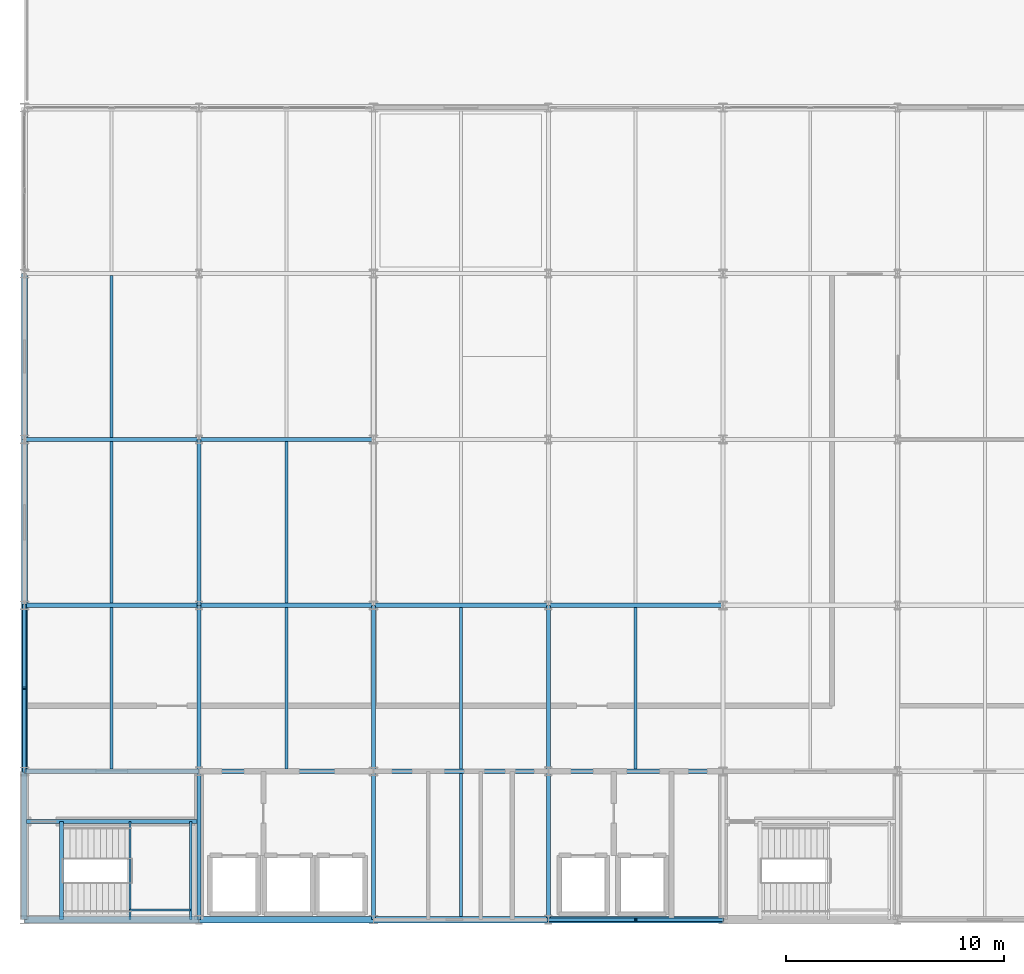
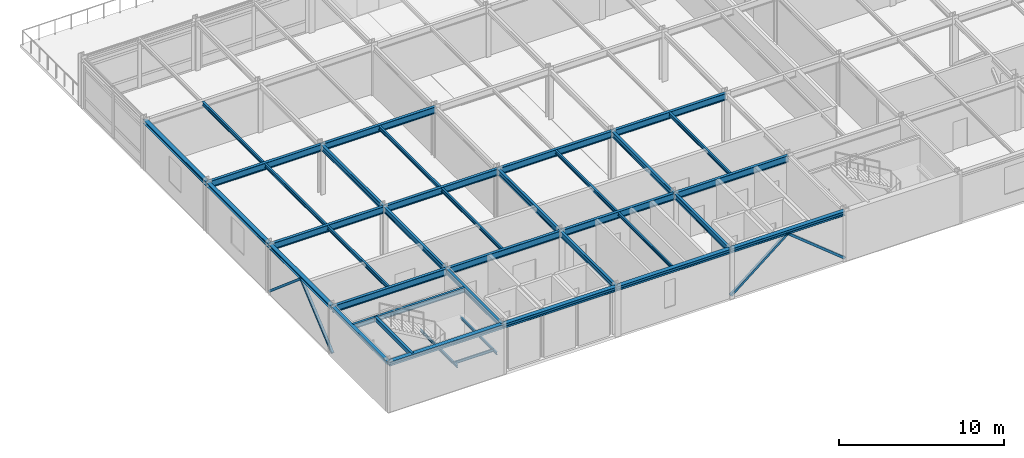
# One storey, part 4 of 17: 38 beams, 4 members.
"""IFC4 building model written with IfcOpenShell, lengths in metres."""

import ifcopenshell
import ifcopenshell.guid

model = None  # the IFC model being written
_history = None  # IfcOwnerHistory: only IFC2X3 demands one
_inside = {}  # id of a spatial element -> (the spatial element, [elements in it])
_under = {}  # id of a project, library or spatial element -> (it, [spatial elements below it])
_declared = {}  # id of a project -> (the project, [libraries it declares])
_typed = {}  # id of a type object -> (the type object, [elements of that type])
_made_of = {}  # id of a material, layer set ... -> (it, [elements and type objects made of it])


def new_model(schema):
    """Start an empty IFC model of exactly this schema.

    Asked for "IFC4X3", IfcOpenShell would pick the latest addendum, in which some entities
    have other attributes; the version numbers below select the first issue.
    IFC2X3 requires an IfcOwnerHistory on every rooted entity: one is made here for all.
    """
    global model, _history
    if schema == "IFC4X3":
        model = ifcopenshell.file(schema_version=(4, 3, 0, 0))
    else:
        model = ifcopenshell.file(schema=schema)
    _inside.clear()
    _under.clear()
    _declared.clear()
    _typed.clear()
    _made_of.clear()
    _history = None
    if model.schema == "IFC2X3":
        org = make("IfcOrganization", Name="unknown")
        user = make(
            "IfcPersonAndOrganization",
            ThePerson=make("IfcPerson", FamilyName="unknown"),
            TheOrganization=org,
        )
        app = make(
            "IfcApplication",
            ApplicationDeveloper=org,
            Version="unknown",
            ApplicationFullName="unknown",
            ApplicationIdentifier="unknown",
        )
        _history = make(
            "IfcOwnerHistory",
            OwningUser=user,
            OwningApplication=app,
            ChangeAction="ADDED",
            CreationDate=0,
        )
    return model


def make(cls, **values):
    """One entity of the class cls with the attributes given. An attribute that is None is left unset."""
    return model.create_entity(
        cls, **{name: value for name, value in values.items() if value is not None}
    )


def rooted(cls, **values):
    """An entity with a GlobalId (a new one), such as an element, a storey or a relation."""
    return make(cls, GlobalId=ifcopenshell.guid.new(), OwnerHistory=_history, **values)


def si_unit(unit_type, name, prefix=None):
    """IfcSIUnit, for example si_unit("LENGTHUNIT", "METRE", prefix="MILLI")."""
    return make("IfcSIUnit", UnitType=unit_type, Prefix=prefix, Name=name)


def assignment(units):
    """IfcUnitAssignment: the units of a project."""
    return None if units is None else make("IfcUnitAssignment", Units=units)


def point(xyz):
    """IfcCartesianPoint."""
    return None if xyz is None else make("IfcCartesianPoint", Coordinates=xyz)


def direction(xyz):
    """IfcDirection."""
    return None if xyz is None else make("IfcDirection", DirectionRatios=xyz)


def frame(location, z_axis=None, x_axis=None):
    """IfcAxis2Placement3D, a coordinate frame: its origin and axes. An axis left out is left unset."""
    return make(
        "IfcAxis2Placement3D",
        Location=point(location),
        Axis=direction(z_axis),
        RefDirection=direction(x_axis),
    )


def frame_2d(location, x_axis=None):
    """IfcAxis2Placement2D, a coordinate frame in the plane: its origin and x axis."""
    return make(
        "IfcAxis2Placement2D", Location=point(location), RefDirection=direction(x_axis)
    )


def origin():
    """The frame at (0, 0, 0) with its axes left unset."""
    return frame((0.0, 0.0, 0.0))


def origin_2d():
    """The frame at (0, 0) in the plane with its x axis left unset."""
    return frame_2d((0.0, 0.0))


def place(relative_to, where):
    """IfcLocalPlacement: puts the frame where relative to a parent placement (None: the world)."""
    return make(
        "IfcLocalPlacement", PlacementRelTo=relative_to, RelativePlacement=where
    )


def context(
    kind, dimensions, precision=None, world=None, true_north=None, identifier=None
):
    """IfcGeometricRepresentationContext, for example the 3D "Model" context."""
    return make(
        "IfcGeometricRepresentationContext",
        ContextIdentifier=identifier,
        ContextType=kind,
        CoordinateSpaceDimension=dimensions,
        Precision=precision,
        WorldCoordinateSystem=world,
        TrueNorth=true_north,
    )


def subcontext(parent, identifier, kind, view, scale=None):
    """IfcGeometricRepresentationSubContext, for example "Body" below "Model"."""
    return make(
        "IfcGeometricRepresentationSubContext",
        ContextIdentifier=identifier,
        ContextType=kind,
        ParentContext=parent,
        TargetScale=scale,
        TargetView=view,
    )


def project(units=None, contexts=None):
    """IfcProject with its units and contexts."""
    return rooted(
        "IfcProject",
        Name="project",
        RepresentationContexts=contexts,
        UnitsInContext=assignment(units),
    )


def spatial(cls, under=None, at=None, **own):
    """A site, building, storey or space (cls), placed at a placement, below another one or the project."""
    s = rooted(cls, ObjectPlacement=at, **own)
    if under is not None:
        _under.setdefault(under.id(), (under, []))[1].append(s)
    return s


def profile(cls, at=None, kind="AREA", **sizes):
    """A parametric profile (cls). Its sizes go by their IFC names, for example OverallWidth=200.0."""
    return make(cls, ProfileType=kind, Position=at, **sizes)


def hollow_rectangle(**sizes):
    """IfcRectangleHollowProfileDef."""
    return profile("IfcRectangleHollowProfileDef", **sizes)


def i_section(**sizes):
    """IfcIShapeProfileDef."""
    return profile("IfcIShapeProfileDef", **sizes)


def extrude(swept, where, along, depth):
    """IfcExtrudedAreaSolid: the profile swept, set in the frame where, extruded along a direction by depth."""
    return make(
        "IfcExtrudedAreaSolid",
        SweptArea=swept,
        Position=where,
        ExtrudedDirection=direction(along),
        Depth=depth,
    )


def shape(context_of_items, identifier, shape_type, items):
    """IfcShapeRepresentation: the items that make up one representation, for example the "Body"."""
    return make(
        "IfcShapeRepresentation",
        ContextOfItems=context_of_items,
        RepresentationIdentifier=identifier,
        RepresentationType=shape_type,
        Items=items,
    )


def material(Name=None, Category=None):
    """IfcMaterial."""
    return make("IfcMaterial", Name=Name, Category=Category)


def material_profile(
    of_material, cross_section, Name=None, Category=None, Priority=None
):
    """IfcMaterialProfile: a cross section and its material."""
    return make(
        "IfcMaterialProfile",
        Name=Name,
        Material=of_material,
        Profile=cross_section,
        Priority=Priority,
        Category=Category,
    )


def profile_set(profiles, Name=None, composite=None):
    """IfcMaterialProfileSet."""
    return make(
        "IfcMaterialProfileSet",
        Name=Name,
        MaterialProfiles=profiles,
        CompositeProfile=composite,
    )


def made_of(thing, what):
    """Note that an element or type object is made of a material, layer set ...; save() writes the relation."""
    if what is not None:
        _made_of.setdefault(what.id(), (what, []))[1].append(thing)
    return thing


def type_object(cls, material=None, **own):
    """A type object (cls), such as IfcWallType, which elements share."""
    return made_of(rooted(cls, **own), material)


def element(
    cls,
    number,
    at=None,
    inside=None,
    cuts=None,
    type_object=None,
    material=None,
    context=None,
    identifier="Body",
    shape_type=None,
    held_by="IfcProductDefinitionShape",
    body=None,
    shapes=None,
    **own,
):
    """One element of the class cls, such as IfcWall. Its Tag is "e" and its number.

    at: its placement. inside: the storey or other place that contains it. cuts: it is an
    opening in that element (IfcRelVoidsElement). A single representation is given by context,
    identifier, shape_type and body (its items); several are given by shapes. held_by: the class
    of the entity that holds the representations. save() writes the other relations.
    """
    e = rooted(cls, Tag="e%d" % number, ObjectPlacement=at, **own)
    if body is not None:
        shapes = [shape(context, identifier, shape_type, body)]
    if shapes is not None:
        e.Representation = make(held_by, Representations=shapes)
    if inside is not None:
        _inside.setdefault(inside.id(), (inside, []))[1].append(e)
    if cuts is not None:
        rooted(
            "IfcRelVoidsElement", RelatingBuildingElement=cuts, RelatedOpeningElement=e
        )
    if type_object is not None:
        _typed.setdefault(type_object.id(), (type_object, []))[1].append(e)
    return made_of(e, material)


def aggregate(whole, parts):
    """IfcRelAggregates: a whole, such as a stair, and the parts it consists of."""
    return rooted("IfcRelAggregates", RelatingObject=whole, RelatedObjects=parts)


def save(model, path):
    """Write the relations noted so far, then the file.

    IfcRelAggregates (storeys below a building ...), IfcRelContainedInSpatialStructure (elements
    in a storey), IfcRelDefinesByType, IfcRelAssociatesMaterial and IfcRelDeclares: one each for
    every whole, place, type object, material and project.
    """
    for whole, parts in _under.values():
        aggregate(whole, parts)
    for where, things in _inside.values():
        rooted(
            "IfcRelContainedInSpatialStructure",
            RelatedElements=things,
            RelatingStructure=where,
        )
    for kind, things in _typed.values():
        rooted("IfcRelDefinesByType", RelatedObjects=things, RelatingType=kind)
    for what, things in _made_of.values():
        rooted("IfcRelAssociatesMaterial", RelatedObjects=things, RelatingMaterial=what)
    for by, libraries in _declared.values():
        rooted("IfcRelDeclares", RelatingContext=by, RelatedDefinitions=libraries)
    model.write(path)


model = new_model("IFC4")

# Units and contexts
model_context = context("Model", 3, precision=1e-05, world=origin(), true_north=direction((0.0, 1.0)))
body_context = subcontext(model_context, "Body", "Model", "MODEL_VIEW")
ifc_project = project(units=[si_unit("LENGTHUNIT", "METRE"), si_unit("AREAUNIT", "SQUARE_METRE"), si_unit("VOLUMEUNIT", "CUBIC_METRE"), si_unit("PLANEANGLEUNIT", "RADIAN"), si_unit("MASSUNIT", "GRAM", prefix="KILO")], contexts=[model_context])

# Site, building, storey
site_placement = place(None, origin())
site = spatial("IfcSite", under=ifc_project, at=site_placement, CompositionType="ELEMENT")
building_placement = place(site_placement, origin())
building = spatial("IfcBuilding", under=site, at=building_placement, Name="Shalkamar Park Central Library", CompositionType="ELEMENT")
storey_placement = place(building_placement, frame((0.0, 0.0, 36.0)))
storey = spatial("IfcBuildingStorey", under=building, at=storey_placement, Name="L09", CompositionType="ELEMENT", Elevation=36.0)

# Beams
ifc_material = material(Name="Steel S355", Category="steel")
ifc_material_profile_1 = material_profile(ifc_material, i_section(OverallWidth=0.10009765625, OverallDepth=0.199951171875, WebThickness=0.005615234375, FlangeThickness=0.008544921875, FilletRadius=0.011962890625, at=origin_2d()), Name="IPE 200")
ifc_profile_set_1 = profile_set([ifc_material_profile_1], Name="Steel S355")
beam_type_1 = type_object("IfcBeamType", Name="Composite Floor Joist IPE200", PredefinedType="JOIST", material=ifc_profile_set_1)
for number, where, z_axis, x_axis, name in (
    (1, (169.840087890625, 248.39990234375, 1.570068359375), (0.0, 1.0, 0.0), (-1.0, 0.0, 0.0), "Stair Half-Landing Beam ST-T1-L09-1"),
    (2, (172.6201171875, 248.39990234375, 1.570068359375), (0.0, 1.0, 0.0), (-1.0, 0.0, 0.0), "Stair Half-Landing Beam ST-T1-L09-2"),
):
    element("IfcBeam", number, at=place(storey_placement, frame(where, z_axis=z_axis, x_axis=x_axis)), inside=storey, type_object=beam_type_1, Name=name, PredefinedType="JOIST", context=body_context, shape_type="SweptSolid", body=[
        extrude(i_section(OverallWidth=0.10009765625, OverallDepth=0.199951171875, WebThickness=0.005615234375, FlangeThickness=0.008544921875, FilletRadius=0.011962890625, at=origin_2d()), origin(), (0.0, 0.0, 1.0), 4.5),
    ])
beam_1_placement = place(storey_placement, frame((169.840087890625, 248.85009765625, 1.570068359375), z_axis=(1.0, 0.0, 0.0), x_axis=(0.0, 1.0, 0.0)))
element("IfcBeam", 3, at=beam_1_placement, inside=storey, type_object=beam_type_1, Name="Stair Half-Landing Cross Tie ST-T1-L09-3", PredefinedType="JOIST", context=body_context, shape_type="SweptSolid", body=[
    extrude(i_section(OverallWidth=0.10009765625, OverallDepth=0.199951171875, WebThickness=0.005615234375, FlangeThickness=0.008544921875, FilletRadius=0.011962890625, at=origin_2d()), origin(), (0.0, 0.0, 1.0), 2.780029296875),
])
ifc_material_profile_2 = material_profile(ifc_material, i_section(OverallWidth=0.1201171875, OverallDepth=0.239990234375, WebThickness=0.006103515625, FlangeThickness=0.009765625, FilletRadius=0.014892578125, at=origin_2d()), Name="IPE 240")
ifc_profile_set_2 = profile_set([ifc_material_profile_2], Name="Steel S355")
beam_type_2 = type_object("IfcBeamType", Name="Composite Floor Joist IPE240", PredefinedType="JOIST", material=ifc_profile_set_2)
beam_2_placement = place(storey_placement, frame((185.0, 248.548095703125, 3.56005859375), z_axis=(0.0, 1.0, 0.0), x_axis=(-1.0, 0.0, 0.0)))
element("IfcBeam", 4, at=beam_2_placement, inside=storey, type_object=beam_type_2, Name="Composite Joist 09/B-1 (L09)", PredefinedType="JOIST", context=body_context, shape_type="SweptSolid", body=[
    extrude(i_section(OverallWidth=0.1201171875, OverallDepth=0.239990234375, WebThickness=0.006103515625, FlangeThickness=0.009765625, FilletRadius=0.014892578125, at=origin_2d()), origin(), (0.0, 0.0, 1.0), 6.553955078125),
])
ifc_material_profile_3 = material_profile(ifc_material, i_section(OverallWidth=0.135009765625, OverallDepth=0.27001953125, WebThickness=0.006591796875, FlangeThickness=0.01025390625, FilletRadius=0.014892578125, at=origin_2d()), Name="IPE 270")
ifc_profile_set_3 = profile_set([ifc_material_profile_3], Name="Steel S355")
beam_type_3 = type_object("IfcBeamType", Name="Composite Floor Joist IPE270", PredefinedType="JOIST", material=ifc_profile_set_3)
beam_3_placement = place(storey_placement, frame((169.0, 255.298095703125, 3.544921875), z_axis=(0.0, 1.0, 0.0), x_axis=(-1.0, 0.0, 0.0)))
element("IfcBeam", 5, at=beam_3_placement, inside=storey, type_object=beam_type_3, Name="Composite Joist 07/C-1 (L09)", PredefinedType="JOIST", context=body_context, shape_type="SweptSolid", body=[
    extrude(i_section(OverallWidth=0.135009765625, OverallDepth=0.27001953125, WebThickness=0.006591796875, FlangeThickness=0.01025390625, FilletRadius=0.014892578125, at=origin_2d()), origin(), (0.0, 0.0, 1.0), 7.40380859375),
])
for number, where, z_axis, x_axis, name in (
    (6, (169.0, 262.89794921875, 3.544921875), (0.0, 1.0, 0.0), (-1.0, 0.0, 0.0), "Composite Joist 07/D-1 (L09)"),
    (7, (169.0, 270.498046875, 3.544921875), (0.0, 1.0, 0.0), (-1.0, 0.0, 0.0), "Composite Joist 07/E-1 (L09)"),
):
    element("IfcBeam", number, at=place(storey_placement, frame(where, z_axis=z_axis, x_axis=x_axis)), inside=storey, type_object=beam_type_3, Name=name, PredefinedType="JOIST", context=body_context, shape_type="SweptSolid", body=[
        extrude(i_section(OverallWidth=0.135009765625, OverallDepth=0.27001953125, WebThickness=0.006591796875, FlangeThickness=0.01025390625, FilletRadius=0.014892578125, at=origin_2d()), origin(), (0.0, 0.0, 1.0), 7.404052734375),
    ])
beam_4_placement = place(storey_placement, frame((177.0, 255.298095703125, 3.544921875), z_axis=(0.0, 1.0, 0.0), x_axis=(-1.0, 0.0, 0.0)))
element("IfcBeam", 8, at=beam_4_placement, inside=storey, type_object=beam_type_3, Name="Composite Joist 08/C-1 (L09)", PredefinedType="JOIST", context=body_context, shape_type="SweptSolid", body=[
    extrude(i_section(OverallWidth=0.135009765625, OverallDepth=0.27001953125, WebThickness=0.006591796875, FlangeThickness=0.01025390625, FilletRadius=0.014892578125, at=origin_2d()), origin(), (0.0, 0.0, 1.0), 7.40380859375),
])
beam_5_placement = place(storey_placement, frame((177.0, 262.89794921875, 3.544921875), z_axis=(0.0, 1.0, 0.0), x_axis=(-1.0, 0.0, 0.0)))
element("IfcBeam", 9, at=beam_5_placement, inside=storey, type_object=beam_type_3, Name="Composite Joist 08/D-1 (L09)", PredefinedType="JOIST", context=body_context, shape_type="SweptSolid", body=[
    extrude(i_section(OverallWidth=0.135009765625, OverallDepth=0.27001953125, WebThickness=0.006591796875, FlangeThickness=0.01025390625, FilletRadius=0.014892578125, at=origin_2d()), origin(), (0.0, 0.0, 1.0), 7.404052734375),
])
for number, where, z_axis, x_axis, name in (
    (10, (185.0, 255.298095703125, 3.544921875), (0.0, 1.0, 0.0), (-1.0, 0.0, 0.0), "Composite Joist 09/C-1 (L09)"),
    (11, (193.0, 255.298095703125, 3.544921875), (0.0, 1.0, 0.0), (-1.0, 0.0, 0.0), "Composite Joist 10/C-1 (L09)"),
):
    element("IfcBeam", number, at=place(storey_placement, frame(where, z_axis=z_axis, x_axis=x_axis)), inside=storey, type_object=beam_type_3, Name=name, PredefinedType="JOIST", context=body_context, shape_type="SweptSolid", body=[
        extrude(i_section(OverallWidth=0.135009765625, OverallDepth=0.27001953125, WebThickness=0.006591796875, FlangeThickness=0.01025390625, FilletRadius=0.014892578125, at=origin_2d()), origin(), (0.0, 0.0, 1.0), 7.40380859375),
    ])

# Members
ifc_material_profile_4 = material_profile(ifc_material, hollow_rectangle(XDim=0.179931640625, YDim=0.179931640625, WallThickness=0.010009765625, InnerFilletRadius=0.010009765625, OuterFilletRadius=0.014892578125, at=origin_2d()), Name="SHS 180x180x10")
ifc_profile_set_4 = profile_set([ifc_material_profile_4], Name="Steel S355")
member_type = type_object("IfcMemberType", Name="Diagonal Brace SHS180", PredefinedType="BRACE", material=ifc_profile_set_4)
for number, where, z_axis, x_axis, name in (
    (12, (165.0, 255.199951171875, 0.14990234375), (0.0, 0.761945356857, 0.647641315208), (-1.0, 0.0, 0.0), "Chevron Brace TW-W Leg A (L09)"),
    (13, (165.0, 262.800048828125, 0.14990234375), (0.0, -0.761945356857, 0.647641315208), (1.0, 0.0, 0.0), "Chevron Brace TW-W Leg B (L09)"),
):
    element("IfcMember", number, at=place(storey_placement, frame(where, z_axis=z_axis, x_axis=x_axis)), inside=storey, type_object=member_type, Name=name, PredefinedType="BRACE", context=body_context, shape_type="SweptSolid", body=[
        extrude(hollow_rectangle(XDim=0.179931640625, YDim=0.179931640625, WallThickness=0.010009765625, InnerFilletRadius=0.010009765625, OuterFilletRadius=0.014892578125, at=origin_2d()), origin(), (0.0, 0.0, 1.0), 4.9873046875),
    ])
for number, where, z_axis, x_axis, name in (
    (14, (189.0, 248.39990234375, 0.14990234375), (0.778016166517, 0.0, 0.628244255555), (0.0, 1.0, 0.0), "Chevron Brace TW-S Leg A (L09)"),
    (15, (197.0, 248.39990234375, 0.14990234375), (-0.778016166517, 0.0, 0.628244255555), (0.0, -1.0, 0.0), "Chevron Brace TW-S Leg B (L09)"),
):
    element("IfcMember", number, at=place(storey_placement, frame(where, z_axis=z_axis, x_axis=x_axis)), inside=storey, type_object=member_type, Name=name, PredefinedType="BRACE", context=body_context, shape_type="SweptSolid", body=[
        extrude(hollow_rectangle(XDim=0.179931640625, YDim=0.179931640625, WallThickness=0.010009765625, InnerFilletRadius=0.010009765625, OuterFilletRadius=0.014892578125, at=origin_2d()), origin(), (0.0, 0.0, 1.0), 5.141357421875),
    ])

# Beams
ifc_material_profile_5 = material_profile(ifc_material, i_section(OverallWidth=0.239990234375, OverallDepth=0.22998046875, WebThickness=0.007568359375, FlangeThickness=0.011962890625, FilletRadius=0.02099609375, at=origin_2d()), Name="HEA 240")
ifc_profile_set_5 = profile_set([ifc_material_profile_5], Name="Steel S355")
beam_type_4 = type_object("IfcBeamType", Name="Perimeter Spandrel Beam HEA240", PredefinedType="SPANDREL", material=ifc_profile_set_5)
beam_6_placement = place(storey_placement, frame((165.0, 248.39990234375, 3.56494140625), z_axis=(0.0, 1.0, 0.0), x_axis=(-1.0, 0.0, 0.0)))
element("IfcBeam", 16, at=beam_6_placement, inside=storey, type_object=beam_type_4, Name="Beam 07:B-C (L09)", PredefinedType="SPANDREL", context=body_context, shape_type="SweptSolid", body=[
    extrude(i_section(OverallWidth=0.239990234375, OverallDepth=0.22998046875, WebThickness=0.007568359375, FlangeThickness=0.011962890625, FilletRadius=0.02099609375, at=origin_2d()), origin(), (0.0, 0.0, 1.0), 6.800048828125),
])
ifc_material_profile_6 = material_profile(ifc_material, i_section(OverallWidth=0.280029296875, OverallDepth=0.27001953125, WebThickness=0.008056640625, FlangeThickness=0.012939453125, FilletRadius=0.02392578125, at=origin_2d()), Name="HEA 280")
ifc_profile_set_6 = profile_set([ifc_material_profile_6], Name="Steel S355")
beam_type_5 = type_object("IfcBeamType", Name="Perimeter Spandrel Beam HEA280", PredefinedType="SPANDREL", material=ifc_profile_set_6)
beam_7_placement = place(storey_placement, frame((165.0, 255.199951171875, 3.544921875), z_axis=(0.0, 1.0, 0.0), x_axis=(-1.0, 0.0, 0.0)))
element("IfcBeam", 17, at=beam_7_placement, inside=storey, type_object=beam_type_5, Name="Beam 07:C-D (L09)", PredefinedType="SPANDREL", context=body_context, shape_type="SweptSolid", body=[
    extrude(i_section(OverallWidth=0.280029296875, OverallDepth=0.27001953125, WebThickness=0.008056640625, FlangeThickness=0.012939453125, FilletRadius=0.02392578125, at=origin_2d()), origin(), (0.0, 0.0, 1.0), 7.60009765625),
])
beam_8_placement = place(storey_placement, frame((165.0, 262.800048828125, 3.544921875), z_axis=(0.0, 1.0, 0.0), x_axis=(-1.0, 0.0, 0.0)))
element("IfcBeam", 18, at=beam_8_placement, inside=storey, type_object=beam_type_5, Name="Beam 07:D-E (L09)", PredefinedType="SPANDREL", context=body_context, shape_type="SweptSolid", body=[
    extrude(i_section(OverallWidth=0.280029296875, OverallDepth=0.27001953125, WebThickness=0.008056640625, FlangeThickness=0.012939453125, FilletRadius=0.02392578125, at=origin_2d()), origin(), (0.0, 0.0, 1.0), 7.599853515625),
])
beam_9_placement = place(storey_placement, frame((165.0, 270.39990234375, 3.544921875), z_axis=(0.0, 1.0, 0.0), x_axis=(-1.0, 0.0, 0.0)))
element("IfcBeam", 19, at=beam_9_placement, inside=storey, type_object=beam_type_5, Name="Beam 07:E-F (L09)", PredefinedType="SPANDREL", context=body_context, shape_type="SweptSolid", body=[
    extrude(i_section(OverallWidth=0.280029296875, OverallDepth=0.27001953125, WebThickness=0.008056640625, FlangeThickness=0.012939453125, FilletRadius=0.02392578125, at=origin_2d()), origin(), (0.0, 0.0, 1.0), 7.60009765625),
])
ifc_material_profile_7 = material_profile(ifc_material, i_section(OverallWidth=0.300048828125, OverallDepth=0.31005859375, WebThickness=0.009033203125, FlangeThickness=0.015380859375, FilletRadius=0.027099609375, at=origin_2d()), Name="HEA 320")
ifc_profile_set_7 = profile_set([ifc_material_profile_7], Name="Steel S355")
beam_type_6 = type_object("IfcBeamType", Name="Perimeter Spandrel Beam HEA320", PredefinedType="SPANDREL", material=ifc_profile_set_7)
for number, where, z_axis, x_axis, name in (
    (20, (165.0, 248.39990234375, 3.52490234375), (1.0, 0.0, 0.0), (0.0, 1.0, 0.0), "Beam B:07-08 (L09)"),
    (21, (173.0, 248.39990234375, 3.52490234375), (1.0, 0.0, 0.0), (0.0, 1.0, 0.0), "Beam B:08-09 (L09)"),
    (22, (181.0, 248.39990234375, 3.52490234375), (1.0, 0.0, 0.0), (0.0, 1.0, 0.0), "Beam B:09-10 (L09)"),
    (23, (189.0, 248.39990234375, 3.52490234375), (1.0, 0.0, 0.0), (0.0, 1.0, 0.0), "Beam B:10-11 (L09)"),
):
    element("IfcBeam", number, at=place(storey_placement, frame(where, z_axis=z_axis, x_axis=x_axis)), inside=storey, type_object=beam_type_6, Name=name, PredefinedType="SPANDREL", context=body_context, shape_type="SweptSolid", body=[
        extrude(i_section(OverallWidth=0.300048828125, OverallDepth=0.31005859375, WebThickness=0.009033203125, FlangeThickness=0.015380859375, FilletRadius=0.027099609375, at=origin_2d()), origin(), (0.0, 0.0, 1.0), 8.0),
    ])
ifc_material_profile_8 = material_profile(ifc_material, i_section(OverallWidth=0.169921875, OverallDepth=0.360107421875, WebThickness=0.008056640625, FlangeThickness=0.0126953125, FilletRadius=0.01806640625, at=origin_2d()), Name="IPE 360")
ifc_profile_set_8 = profile_set([ifc_material_profile_8], Name="Steel S355")
beam_type_7 = type_object("IfcBeamType", Name="Primary Girder IPE360", PredefinedType="BEAM", material=ifc_profile_set_8)
beam_10_placement = place(storey_placement, frame((165.087890625, 252.89990234375, 3.5), z_axis=(1.0, 0.0, 0.0), x_axis=(0.0, 1.0, 0.0)))
element("IfcBeam", 24, at=beam_10_placement, inside=storey, type_object=beam_type_7, Name="CORE-T1 Stairwell Divider Beam (L09)", PredefinedType="BEAM", context=body_context, shape_type="SweptSolid", body=[
    extrude(i_section(OverallWidth=0.169921875, OverallDepth=0.360107421875, WebThickness=0.008056640625, FlangeThickness=0.0126953125, FilletRadius=0.01806640625, at=origin_2d()), origin(), (0.0, 0.0, 1.0), 7.82421875),
])
ifc_material_profile_9 = material_profile(ifc_material, i_section(OverallWidth=0.179931640625, OverallDepth=0.39990234375, WebThickness=0.008544921875, FlangeThickness=0.013427734375, FilletRadius=0.02099609375, at=origin_2d()), Name="IPE 400")
ifc_profile_set_9 = profile_set([ifc_material_profile_9], Name="Steel S355")
beam_type_8 = type_object("IfcBeamType", Name="Primary Girder IPE400", PredefinedType="BEAM", material=ifc_profile_set_9)
beam_11_placement = place(storey_placement, frame((173.0, 248.39990234375, 3.47998046875), z_axis=(0.0, 1.0, 0.0), x_axis=(-1.0, 0.0, 0.0)))
element("IfcBeam", 25, at=beam_11_placement, inside=storey, type_object=beam_type_8, Name="Beam 08:B-C (L09)", PredefinedType="BEAM", context=body_context, shape_type="SweptSolid", body=[
    extrude(i_section(OverallWidth=0.179931640625, OverallDepth=0.39990234375, WebThickness=0.008544921875, FlangeThickness=0.013427734375, FilletRadius=0.02099609375, at=origin_2d()), origin(), (0.0, 0.0, 1.0), 6.800048828125),
])
beam_12_placement = place(storey_placement, frame((173.0, 255.199951171875, 3.47998046875), z_axis=(0.0, 1.0, 0.0), x_axis=(-1.0, 0.0, 0.0)))
element("IfcBeam", 26, at=beam_12_placement, inside=storey, type_object=beam_type_8, Name="Beam 08:C-D (L09)", PredefinedType="BEAM", context=body_context, shape_type="SweptSolid", body=[
    extrude(i_section(OverallWidth=0.179931640625, OverallDepth=0.39990234375, WebThickness=0.008544921875, FlangeThickness=0.013427734375, FilletRadius=0.02099609375, at=origin_2d()), origin(), (0.0, 0.0, 1.0), 7.60009765625),
])
beam_13_placement = place(storey_placement, frame((173.0, 262.800048828125, 3.47998046875), z_axis=(0.0, 1.0, 0.0), x_axis=(-1.0, 0.0, 0.0)))
element("IfcBeam", 27, at=beam_13_placement, inside=storey, type_object=beam_type_8, Name="Beam 08:D-E (L09)", PredefinedType="BEAM", context=body_context, shape_type="SweptSolid", body=[
    extrude(i_section(OverallWidth=0.179931640625, OverallDepth=0.39990234375, WebThickness=0.008544921875, FlangeThickness=0.013427734375, FilletRadius=0.02099609375, at=origin_2d()), origin(), (0.0, 0.0, 1.0), 7.599853515625),
])
beam_14_placement = place(storey_placement, frame((181.0, 248.39990234375, 3.47998046875), z_axis=(0.0, 1.0, 0.0), x_axis=(-1.0, 0.0, 0.0)))
element("IfcBeam", 28, at=beam_14_placement, inside=storey, type_object=beam_type_8, Name="Beam 09:B-C (L09)", PredefinedType="BEAM", context=body_context, shape_type="SweptSolid", body=[
    extrude(i_section(OverallWidth=0.179931640625, OverallDepth=0.39990234375, WebThickness=0.008544921875, FlangeThickness=0.013427734375, FilletRadius=0.02099609375, at=origin_2d()), origin(), (0.0, 0.0, 1.0), 6.800048828125),
])
beam_15_placement = place(storey_placement, frame((181.0, 255.199951171875, 3.47998046875), z_axis=(0.0, 1.0, 0.0), x_axis=(-1.0, 0.0, 0.0)))
element("IfcBeam", 29, at=beam_15_placement, inside=storey, type_object=beam_type_8, Name="Beam 09:C-D (L09)", PredefinedType="BEAM", context=body_context, shape_type="SweptSolid", body=[
    extrude(i_section(OverallWidth=0.179931640625, OverallDepth=0.39990234375, WebThickness=0.008544921875, FlangeThickness=0.013427734375, FilletRadius=0.02099609375, at=origin_2d()), origin(), (0.0, 0.0, 1.0), 7.60009765625),
])
beam_16_placement = place(storey_placement, frame((189.0, 248.39990234375, 3.47998046875), z_axis=(0.0, 1.0, 0.0), x_axis=(-1.0, 0.0, 0.0)))
element("IfcBeam", 30, at=beam_16_placement, inside=storey, type_object=beam_type_8, Name="Beam 10:B-C (L09)", PredefinedType="BEAM", context=body_context, shape_type="SweptSolid", body=[
    extrude(i_section(OverallWidth=0.179931640625, OverallDepth=0.39990234375, WebThickness=0.008544921875, FlangeThickness=0.013427734375, FilletRadius=0.02099609375, at=origin_2d()), origin(), (0.0, 0.0, 1.0), 6.800048828125),
])
beam_17_placement = place(storey_placement, frame((189.0, 255.199951171875, 3.47998046875), z_axis=(0.0, 1.0, 0.0), x_axis=(-1.0, 0.0, 0.0)))
element("IfcBeam", 31, at=beam_17_placement, inside=storey, type_object=beam_type_8, Name="Beam 10:C-D (L09)", PredefinedType="BEAM", context=body_context, shape_type="SweptSolid", body=[
    extrude(i_section(OverallWidth=0.179931640625, OverallDepth=0.39990234375, WebThickness=0.008544921875, FlangeThickness=0.013427734375, FilletRadius=0.02099609375, at=origin_2d()), origin(), (0.0, 0.0, 1.0), 7.60009765625),
])
ifc_material_profile_10 = material_profile(ifc_material, i_section(OverallWidth=0.199951171875, OverallDepth=0.5, WebThickness=0.01025390625, FlangeThickness=0.01611328125, FilletRadius=0.02099609375, at=origin_2d()), Name="IPE 500")
ifc_profile_set_10 = profile_set([ifc_material_profile_10], Name="Steel S355")
beam_type_9 = type_object("IfcBeamType", Name="Primary Girder IPE500", PredefinedType="BEAM", material=ifc_profile_set_10)
for number, where, z_axis, x_axis, name in (
    (32, (165.0, 255.199951171875, 3.429931640625), (1.0, 0.0, 0.0), (0.0, 1.0, 0.0), "Beam C:07-08 (L09)"),
    (33, (173.0, 255.199951171875, 3.429931640625), (1.0, 0.0, 0.0), (0.0, 1.0, 0.0), "Beam C:08-09 (L09)"),
    (34, (181.0, 255.199951171875, 3.429931640625), (1.0, 0.0, 0.0), (0.0, 1.0, 0.0), "Beam C:09-10 (L09)"),
    (35, (189.0, 255.199951171875, 3.429931640625), (1.0, 0.0, 0.0), (0.0, 1.0, 0.0), "Beam C:10-11 (L09)"),
    (36, (165.0, 262.800048828125, 3.429931640625), (1.0, 0.0, 0.0), (0.0, 1.0, 0.0), "Beam D:07-08 (L09)"),
    (37, (173.0, 262.800048828125, 3.429931640625), (1.0, 0.0, 0.0), (0.0, 1.0, 0.0), "Beam D:08-09 (L09)"),
    (38, (181.0, 262.800048828125, 3.429931640625), (1.0, 0.0, 0.0), (0.0, 1.0, 0.0), "Beam D:09-10 (L09)"),
    (39, (189.0, 262.800048828125, 3.429931640625), (1.0, 0.0, 0.0), (0.0, 1.0, 0.0), "Beam D:10-11 (L09)"),
    (40, (165.0, 270.39990234375, 3.429931640625), (1.0, 0.0, 0.0), (0.0, 1.0, 0.0), "Beam E:07-08 (L09)"),
    (41, (173.0, 270.39990234375, 3.429931640625), (1.0, 0.0, 0.0), (0.0, 1.0, 0.0), "Beam E:08-09 (L09)"),
):
    element("IfcBeam", number, at=place(storey_placement, frame(where, z_axis=z_axis, x_axis=x_axis)), inside=storey, type_object=beam_type_9, Name=name, PredefinedType="BEAM", context=body_context, shape_type="SweptSolid", body=[
        extrude(i_section(OverallWidth=0.199951171875, OverallDepth=0.5, WebThickness=0.01025390625, FlangeThickness=0.01611328125, FilletRadius=0.02099609375, at=origin_2d()), origin(), (0.0, 0.0, 1.0), 8.0),
    ])
ifc_material_profile_11 = material_profile(ifc_material, hollow_rectangle(XDim=0.199951171875, YDim=0.300048828125, WallThickness=0.011962890625, InnerFilletRadius=0.011962890625, OuterFilletRadius=0.01806640625, at=origin_2d()), Name="RHS 300x200x12")
ifc_profile_set_11 = profile_set([ifc_material_profile_11], Name="Steel S355")
beam_type_10 = type_object("IfcBeamType", Name="Stair Trimmer Box RHS300x200", PredefinedType="BEAM", material=ifc_profile_set_11)
beam_18_placement = place(storey_placement, frame((166.699951171875, 248.39990234375, 3.530029296875), z_axis=(0.0, 1.0, 0.0), x_axis=(-1.0, 0.0, 0.0)))
element("IfcBeam", 42, at=beam_18_placement, inside=storey, type_object=beam_type_10, Name="Stair Arrival Trimmer Girder ST-T1-L09", PredefinedType="BEAM", context=body_context, shape_type="SweptSolid", body=[
    extrude(hollow_rectangle(XDim=0.199951171875, YDim=0.300048828125, WallThickness=0.011962890625, InnerFilletRadius=0.011962890625, OuterFilletRadius=0.01806640625, at=origin_2d()), origin(), (0.0, 0.0, 1.0), 4.5),
])

save(model, "model.ifc")
